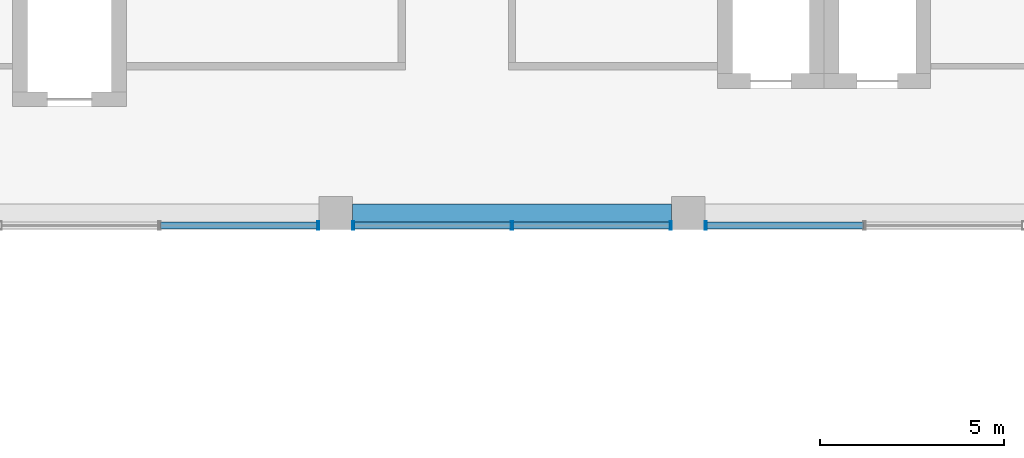
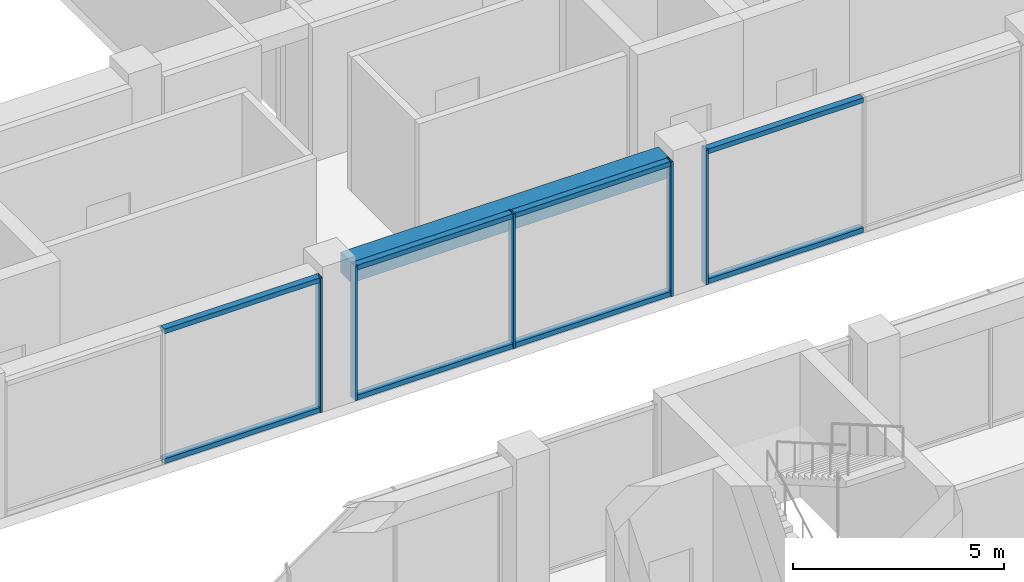
# One storey, part 10 of 37: 13 members, 1 beam, 3 elements without a shape of their own.
"""IFC4 building model written with IfcOpenShell, lengths in metres."""

from ifc_helpers import new_model, si_unit, direction, frame, origin, origin_2d, place, context, subcontext, project, spatial, rectangle, hollow_rectangle, extrude, material, layer, layer_set, material_profile, profile_set, type_object, element, aggregate, save


model = new_model("IFC4")

# Units and contexts
model_context = context("Model", 3, precision=1e-05, world=origin(), true_north=direction((0.0, 1.0)))
body_context = subcontext(model_context, "Body", "Model", "MODEL_VIEW")
ifc_project = project(units=[si_unit("LENGTHUNIT", "METRE"), si_unit("AREAUNIT", "SQUARE_METRE"), si_unit("VOLUMEUNIT", "CUBIC_METRE"), si_unit("PLANEANGLEUNIT", "RADIAN"), si_unit("MASSUNIT", "GRAM", prefix="KILO")], contexts=[model_context])

# Site, building, storey
site_placement = place(None, origin())
site = spatial("IfcSite", under=ifc_project, at=site_placement, CompositionType="ELEMENT")
building_placement = place(site_placement, origin())
building = spatial("IfcBuilding", under=site, at=building_placement, Name="Nzadi Deep Aquarium and Research Tower", CompositionType="ELEMENT")
storey_placement = place(building_placement, frame((0.0, 0.0, 61.300048828125)))
storey = spatial("IfcBuildingStorey", under=building, at=storey_placement, Name="L12", CompositionType="ELEMENT", Elevation=61.300048828125)

# Curtain wall, member
ifc_material_1 = material(Name="Aluminium unitised frame deep", Category="aluminium")
ifc_layer = layer(ifc_material_1, 0.22509765625)
ifc_layer_set = layer_set([ifc_layer], Name="Aluminium unitised frame deep")
curtain_wall_type = type_object("IfcCurtainWallType", Name="Curtain wall Unitised Deep 225", PredefinedType="NOTDEFINED", material=ifc_layer_set)
curtain_wall_1_placement = place(storey_placement, origin())
curtain_wall_1 = element("IfcCurtainWall", 1, at=curtain_wall_1_placement, inside=storey, type_object=curtain_wall_type, Name="Unitised curtain wall blade B south L12", PredefinedType="NOTDEFINED")
ifc_material_2 = material(Name="Aluminium unitised frame deep", Category="aluminium")
ifc_material_profile_1 = material_profile(ifc_material_2, hollow_rectangle(XDim=0.22509765625, YDim=0.06005859375, WallThickness=0.0048828125, at=origin_2d()))
ifc_profile_set_1 = profile_set([ifc_material_profile_1], Name="Aluminium unitised frame deep")
member_type_1 = type_object("IfcMemberType", Name="Mullion 60x225 Unitised Deep", PredefinedType="MULLION", material=ifc_profile_set_1)
member_1_placement = place(storey_placement, frame((18.719970703125, 27.262451171875, 0.0), z_axis=(0.0, 0.0, 1.0), x_axis=(0.0, 1.0, 0.0)))
member_1 = element("IfcMember", 2, at=member_1_placement, type_object=member_type_1, Name="CW153 mullion 3", PredefinedType="MULLION", context=body_context, shape_type="SweptSolid", body=[
    extrude(hollow_rectangle(XDim=0.22509765625, YDim=0.06005859375, WallThickness=0.0048828125, at=origin_2d()), origin(), (0.0, 0.0, 1.0), 3.89990234375),
])

# Curtain wall, members
curtain_wall_2_placement = place(storey_placement, origin())
curtain_wall_2 = element("IfcCurtainWall", 3, at=curtain_wall_2_placement, inside=storey, type_object=curtain_wall_type, Name="Unitised curtain wall blade B south L12", PredefinedType="NOTDEFINED")
member_2_placement = place(storey_placement, frame((19.679931640625, 27.262451171875, 0.0), z_axis=(0.0, 0.0, 1.0), x_axis=(0.0, 1.0, 0.0)))
member_2 = element("IfcMember", 4, at=member_2_placement, type_object=member_type_1, Name="CW154 mullion 1", PredefinedType="MULLION", context=body_context, shape_type="SweptSolid", body=[
    extrude(hollow_rectangle(XDim=0.22509765625, YDim=0.06005859375, WallThickness=0.0048828125, at=origin_2d()), origin(), (0.0, 0.0, 1.0), 3.89990234375),
])
member_3_placement = place(storey_placement, frame((24.0, 27.262451171875, 0.0), z_axis=(0.0, 0.0, 1.0), x_axis=(0.0, 1.0, 0.0)))
member_3 = element("IfcMember", 5, at=member_3_placement, type_object=member_type_1, Name="CW154 mullion 2", PredefinedType="MULLION", context=body_context, shape_type="SweptSolid", body=[
    extrude(hollow_rectangle(XDim=0.22509765625, YDim=0.06005859375, WallThickness=0.0048828125, at=origin_2d()), origin(), (0.0, 0.0, 1.0), 3.89990234375),
])
member_4_placement = place(storey_placement, frame((28.320068359375, 27.262451171875, 0.0), z_axis=(0.0, 0.0, 1.0), x_axis=(0.0, 1.0, 0.0)))
member_4 = element("IfcMember", 6, at=member_4_placement, type_object=member_type_1, Name="CW154 mullion 3", PredefinedType="MULLION", context=body_context, shape_type="SweptSolid", body=[
    extrude(hollow_rectangle(XDim=0.22509765625, YDim=0.06005859375, WallThickness=0.0048828125, at=origin_2d()), origin(), (0.0, 0.0, 1.0), 3.89990234375),
])

# Curtain wall, member
curtain_wall_3_placement = place(storey_placement, origin())
curtain_wall_3 = element("IfcCurtainWall", 7, at=curtain_wall_3_placement, inside=storey, type_object=curtain_wall_type, Name="Unitised curtain wall blade B south L12", PredefinedType="NOTDEFINED")
member_5_placement = place(storey_placement, frame((29.280029296875, 27.262451171875, 0.0), z_axis=(0.0, 0.0, 1.0), x_axis=(0.0, 1.0, 0.0)))
member_5 = element("IfcMember", 8, at=member_5_placement, type_object=member_type_1, Name="CW155 mullion 1", PredefinedType="MULLION", context=body_context, shape_type="SweptSolid", body=[
    extrude(hollow_rectangle(XDim=0.22509765625, YDim=0.06005859375, WallThickness=0.0048828125, at=origin_2d()), origin(), (0.0, 0.0, 1.0), 3.89990234375),
])

# Beam
ifc_material_3 = material(Name="Concrete C35/45", Category="concrete")
ifc_material_profile_2 = material_profile(ifc_material_3, rectangle(XDim=0.5, YDim=0.60009765625, at=origin_2d()))
ifc_profile_set_2 = profile_set([ifc_material_profile_2], Name="Concrete C35/45")
beam_type = type_object("IfcBeamType", Name="RC 500x600", PredefinedType="BEAM", material=ifc_profile_set_2)
beam_placement = place(storey_placement, frame((19.64990234375, 27.60009765625, 3.599853515625), z_axis=(1.0, 0.0, 0.0), x_axis=(0.0, 1.0, 0.0)))
element("IfcBeam", 9, at=beam_placement, inside=storey, type_object=beam_type, Name="B-Z1-L12-L4-3", PredefinedType="BEAM", context=body_context, shape_type="SweptSolid", body=[
    extrude(rectangle(XDim=0.5, YDim=0.60009765625, at=origin_2d()), origin(), (0.0, 0.0, 1.0), 8.7001953125),
])

# Member
ifc_material_4 = material(Name="Aluminium unitised frame deep", Category="aluminium")
ifc_material_profile_3 = material_profile(ifc_material_4, hollow_rectangle(XDim=0.179931640625, YDim=0.139892578125, WallThickness=0.0048828125, at=origin_2d()))
ifc_profile_set_3 = profile_set([ifc_material_profile_3], Name="Aluminium unitised frame deep")
member_type_2 = type_object("IfcMemberType", Name="Transom 140x180 Unitised Deep", PredefinedType="MULLION", material=ifc_profile_set_3)
member_6_placement = place(storey_placement, frame((14.429931640625, 27.262451171875, 0.070068359375), z_axis=(1.0, 0.0, 0.0), x_axis=(0.0, 1.0, 0.0)))
member_6 = element("IfcMember", 10, at=member_6_placement, type_object=member_type_2, Name="CW153 transom 2.1", PredefinedType="MULLION", context=body_context, shape_type="SweptSolid", body=[
    extrude(hollow_rectangle(XDim=0.179931640625, YDim=0.139892578125, WallThickness=0.0048828125, at=origin_2d()), origin(), (0.0, 0.0, 1.0), 4.260009765625),
])

member_7_placement = place(storey_placement, frame((14.429931640625, 27.262451171875, 3.829833984375), z_axis=(1.0, 0.0, 0.0), x_axis=(0.0, 1.0, 0.0)))
member_7 = element("IfcMember", 11, at=member_7_placement, type_object=member_type_2, Name="CW153 transom 2.2", PredefinedType="MULLION", context=body_context, shape_type="SweptSolid", body=[
    extrude(hollow_rectangle(XDim=0.179931640625, YDim=0.139892578125, WallThickness=0.0048828125, at=origin_2d()), origin(), (0.0, 0.0, 1.0), 4.260009765625),
])

aggregate(curtain_wall_1, [member_1, member_6, member_7])

member_8_placement = place(storey_placement, frame((19.7099609375, 27.262451171875, 0.070068359375), z_axis=(1.0, 0.0, 0.0), x_axis=(0.0, 1.0, 0.0)))
member_8 = element("IfcMember", 12, at=member_8_placement, type_object=member_type_2, Name="CW154 transom 1.1", PredefinedType="MULLION", context=body_context, shape_type="SweptSolid", body=[
    extrude(hollow_rectangle(XDim=0.179931640625, YDim=0.139892578125, WallThickness=0.0048828125, at=origin_2d()), origin(), (0.0, 0.0, 1.0), 4.260009765625),
])

member_9_placement = place(storey_placement, frame((19.7099609375, 27.262451171875, 3.829833984375), z_axis=(1.0, 0.0, 0.0), x_axis=(0.0, 1.0, 0.0)))
member_9 = element("IfcMember", 13, at=member_9_placement, type_object=member_type_2, Name="CW154 transom 1.2", PredefinedType="MULLION", context=body_context, shape_type="SweptSolid", body=[
    extrude(hollow_rectangle(XDim=0.179931640625, YDim=0.139892578125, WallThickness=0.0048828125, at=origin_2d()), origin(), (0.0, 0.0, 1.0), 4.260009765625),
])

member_10_placement = place(storey_placement, frame((24.030029296875, 27.262451171875, 0.070068359375), z_axis=(1.0, 0.0, 0.0), x_axis=(0.0, 1.0, 0.0)))
member_10 = element("IfcMember", 14, at=member_10_placement, type_object=member_type_2, Name="CW154 transom 2.1", PredefinedType="MULLION", context=body_context, shape_type="SweptSolid", body=[
    extrude(hollow_rectangle(XDim=0.179931640625, YDim=0.139892578125, WallThickness=0.0048828125, at=origin_2d()), origin(), (0.0, 0.0, 1.0), 4.260009765625),
])

member_11_placement = place(storey_placement, frame((24.030029296875, 27.262451171875, 3.829833984375), z_axis=(1.0, 0.0, 0.0), x_axis=(0.0, 1.0, 0.0)))
member_11 = element("IfcMember", 15, at=member_11_placement, type_object=member_type_2, Name="CW154 transom 2.2", PredefinedType="MULLION", context=body_context, shape_type="SweptSolid", body=[
    extrude(hollow_rectangle(XDim=0.179931640625, YDim=0.139892578125, WallThickness=0.0048828125, at=origin_2d()), origin(), (0.0, 0.0, 1.0), 4.260009765625),
])

aggregate(curtain_wall_2, [member_2, member_3, member_4, member_8, member_9, member_10, member_11])

member_12_placement = place(storey_placement, frame((29.31005859375, 27.262451171875, 0.070068359375), z_axis=(1.0, 0.0, 0.0), x_axis=(0.0, 1.0, 0.0)))
member_12 = element("IfcMember", 16, at=member_12_placement, type_object=member_type_2, Name="CW155 transom 1.1", PredefinedType="MULLION", context=body_context, shape_type="SweptSolid", body=[
    extrude(hollow_rectangle(XDim=0.179931640625, YDim=0.139892578125, WallThickness=0.0048828125, at=origin_2d()), origin(), (0.0, 0.0, 1.0), 4.260009765625),
])

member_13_placement = place(storey_placement, frame((29.31005859375, 27.262451171875, 3.829833984375), z_axis=(1.0, 0.0, 0.0), x_axis=(0.0, 1.0, 0.0)))
member_13 = element("IfcMember", 17, at=member_13_placement, type_object=member_type_2, Name="CW155 transom 1.2", PredefinedType="MULLION", context=body_context, shape_type="SweptSolid", body=[
    extrude(hollow_rectangle(XDim=0.179931640625, YDim=0.139892578125, WallThickness=0.0048828125, at=origin_2d()), origin(), (0.0, 0.0, 1.0), 4.260009765625),
])

aggregate(curtain_wall_3, [member_5, member_12, member_13])

save(model, "model.ifc")
